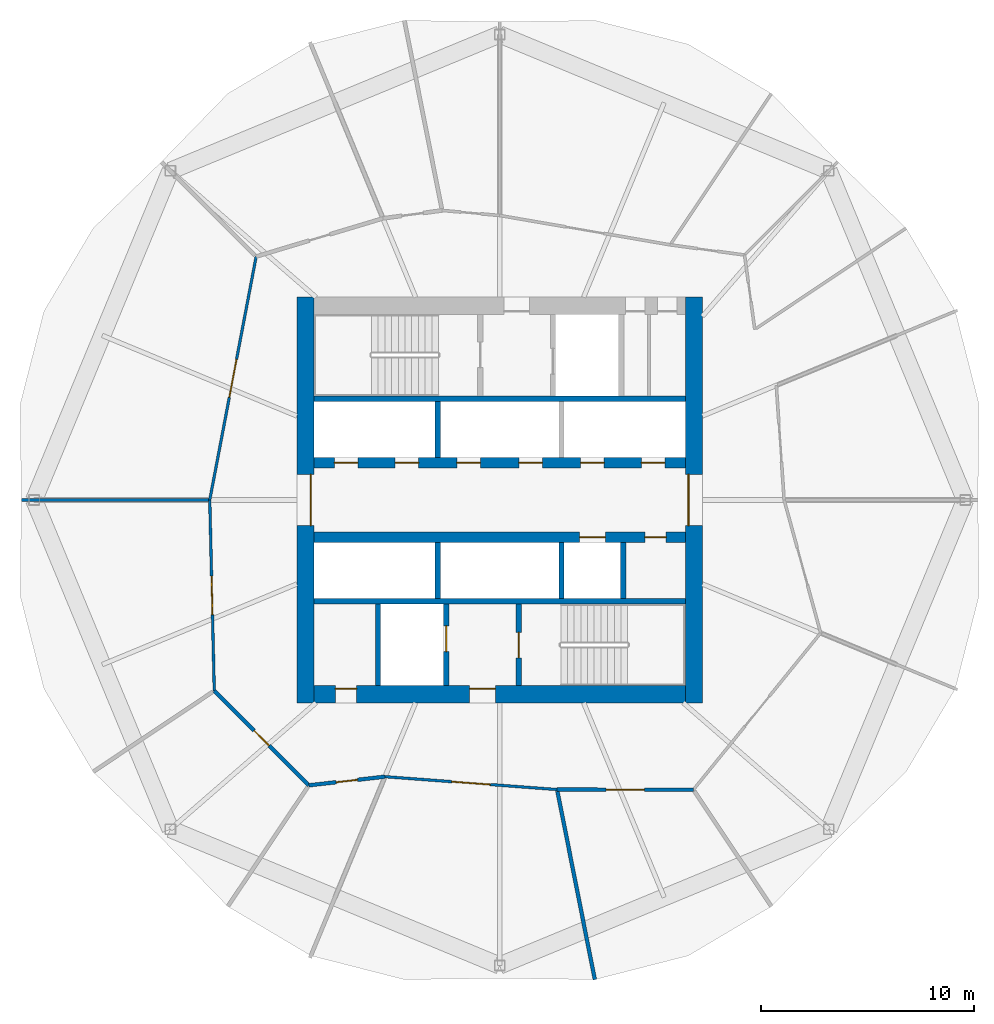
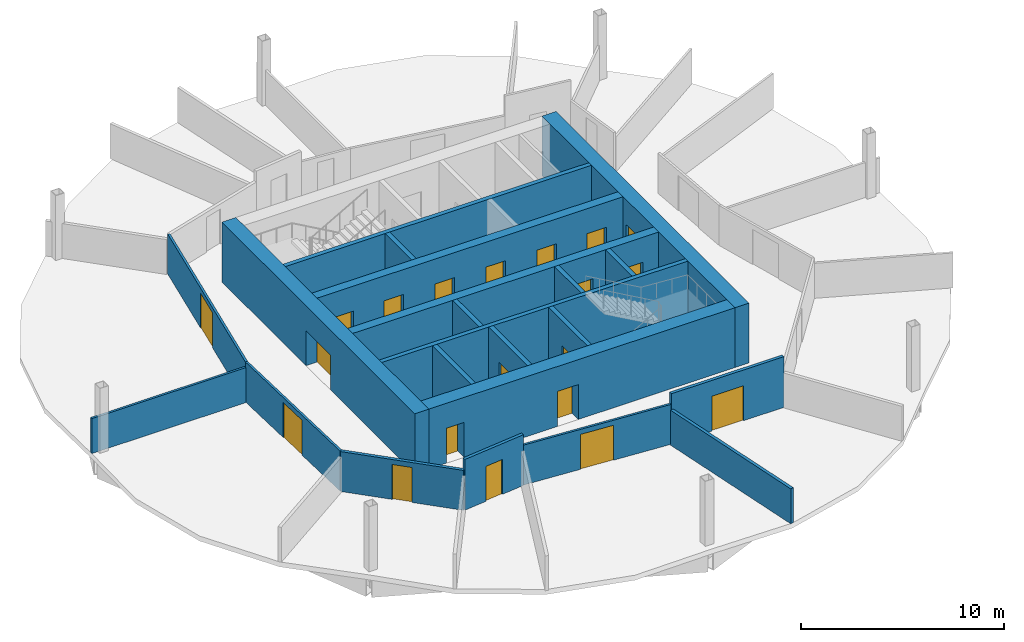
# One storey, part 4 of 9: 22 walls, 20 doors, 20 openings.
"""IFC4 building model written with IfcOpenShell, lengths in metres."""

from ifc_helpers import new_model, si_unit, direction, frame, frame_2d, origin, place, context, subcontext, project, spatial, rectangle, extrude, material, layer, layer_set, type_object, element, fill, save


model = new_model("IFC4")

# Units and contexts
model_context = context("Model", 3, precision=1e-05, world=origin(), true_north=direction((0.0, 1.0)))
body_context = subcontext(model_context, "Body", "Model", "MODEL_VIEW")
ifc_project = project(units=[si_unit("LENGTHUNIT", "METRE"), si_unit("AREAUNIT", "SQUARE_METRE"), si_unit("VOLUMEUNIT", "CUBIC_METRE"), si_unit("PLANEANGLEUNIT", "RADIAN"), si_unit("MASSUNIT", "GRAM", prefix="KILO")], contexts=[model_context])

# Site, building, storey
site_placement = place(None, origin())
site = spatial("IfcSite", under=ifc_project, at=site_placement, CompositionType="ELEMENT")
building_placement = place(site_placement, origin())
building = spatial("IfcBuilding", under=site, at=building_placement, Name="Ogive Gate Towers", CompositionType="ELEMENT")
storey_placement = place(building_placement, frame((0.0, 0.0, 40.199951171875)))
storey = spatial("IfcBuildingStorey", under=building, at=storey_placement, Name="L08", CompositionType="ELEMENT", Elevation=40.199951171875)

# Wall
ifc_material_1 = material(Name="Gypsum board acoustic partition")
ifc_layer_1 = layer(ifc_material_1, 0.175048828125)
ifc_layer_set_1 = layer_set([ifc_layer_1], Name="Acoustic partition 175")
wall_type_1 = type_object("IfcWallType", Name="Acoustic partition 175", PredefinedType="PARTITIONING", material=ifc_layer_set_1)
wall_1_placement = place(storey_placement, frame((-31.538330078125, -22.470947265625, 0.0), z_axis=(0.0, 0.0, 1.0), x_axis=(-0.194737431918, 0.980855408615, 0.0)))
element("IfcWall", 1, at=wall_1_placement, inside=storey, type_object=wall_type_1, Name="Partition T1-L08-014", PredefinedType="PARTITIONING", context=body_context, shape_type="SweptSolid", body=[
    extrude(rectangle(XDim=8.991455078125, YDim=0.175048828125, at=frame_2d((4.49560546875, 0.0))), origin(), (0.0, 0.0, 1.0), 2.10009765625),
])

# Wall, opening, door
wall_2_placement = place(storey_placement, frame((-49.367431640625, -8.9384765625, 0.0), z_axis=(0.0, 0.0, 1.0), x_axis=(0.707106781187, -0.707106781187, 0.0)))
wall_2 = element("IfcWall", 2, at=wall_2_placement, inside=storey, type_object=wall_type_1, Name="Partition T1-L08-025", PredefinedType="PARTITIONING", context=body_context, shape_type="SweptSolid", body=[
    extrude(rectangle(XDim=6.263427734375, YDim=0.175048828125, at=frame_2d((3.1318359375, 0.0))), origin(), (0.0, 0.0, 1.0), 2.400146484375),
])
opening_1_placement = place(wall_2_placement, frame((2.632080078125, 0.0, 0.0)))
opening_1 = element("IfcOpeningElement", 3, at=opening_1_placement, cuts=wall_2, Name="Opening T1-L08-D09", PredefinedType="OPENING", context=body_context, shape_type="SweptSolid", body=[
    extrude(rectangle(XDim=1.0, YDim=2.10009765625, at=frame_2d((0.5, 1.050048828125))), frame((0.0, 0.09765625, 0.0), z_axis=(0.0, -1.0, 0.0), x_axis=(1.0, 0.0, 0.0)), (0.0, 0.0, 1.0), 0.195068359375),
])
ifc_material_2 = material(Name="Timber door", Category="wood")
door_type_1 = type_object("IfcDoorType", Name="Door 1000", OperationType="NOTDEFINED", PredefinedType="DOOR", material=ifc_material_2)
door_1_placement = place(opening_1_placement, origin())
door_1 = element("IfcDoor", 4, at=door_1_placement, inside=storey, type_object=door_type_1, Name="Door T1-L08-D09", OperationType="SINGLE_SWING_RIGHT", OverallHeight=2.10009765625, OverallWidth=1.0, PredefinedType="DOOR", context=body_context, shape_type="SweptSolid", body=[
    extrude(rectangle(XDim=1.0, YDim=2.10009765625, at=frame_2d((0.5, 1.050048828125))), frame((0.0, 0.02490234375, 0.0), z_axis=(0.0, -1.0, 0.0), x_axis=(1.0, 0.0, 0.0)), (0.0, 0.0, 1.0), 0.050048828125),
])
fill(opening_1, door_1)

wall_3_placement = place(storey_placement, frame((-44.9384765625, -13.367431640625, 0.0), z_axis=(0.0, 0.0, 1.0), x_axis=(0.993637621277, 0.11262449815, 0.0)))
wall_3 = element("IfcWall", 5, at=wall_3_placement, inside=storey, type_object=wall_type_1, Name="Partition T1-L08-026", PredefinedType="PARTITIONING", context=body_context, shape_type="SweptSolid", body=[
    extrude(rectangle(XDim=3.592041015625, YDim=0.175048828125, at=frame_2d((1.7958984375, 0.0))), origin(), (0.0, 0.0, 1.0), 3.050048828125),
])
opening_2_placement = place(wall_3_placement, frame((1.2958984375, 0.0, 0.0)))
opening_2 = element("IfcOpeningElement", 6, at=opening_2_placement, cuts=wall_3, Name="Opening T1-L08-D10", PredefinedType="OPENING", context=body_context, shape_type="SweptSolid", body=[
    extrude(rectangle(XDim=1.0, YDim=2.10009765625, at=frame_2d((0.5, 1.050048828125))), frame((0.0, 0.09765625, 0.0), z_axis=(0.0, -1.0, 0.0), x_axis=(1.0, 0.0, 0.0)), (0.0, 0.0, 1.0), 0.195068359375),
])
door_2_placement = place(opening_2_placement, origin())
door_2 = element("IfcDoor", 7, at=door_2_placement, inside=storey, type_object=door_type_1, Name="Door T1-L08-D10", OperationType="SINGLE_SWING_LEFT", OverallHeight=2.10009765625, OverallWidth=1.0, PredefinedType="DOOR", context=body_context, shape_type="SweptSolid", body=[
    extrude(rectangle(XDim=1.0, YDim=2.10009765625, at=frame_2d((0.5, 1.050048828125))), frame((0.0, 0.02490234375, 0.0), z_axis=(0.0, -1.0, 0.0), x_axis=(1.0, 0.0, 0.0)), (0.0, 0.0, 1.0), 0.050048828125),
])
fill(opening_2, door_2)

wall_4_placement = place(storey_placement, frame((-33.306396484375, -13.56591796875, 0.0), z_axis=(0.0, 0.0, 1.0), x_axis=(0.999998944011, -0.00145326449, 0.0)))
wall_4 = element("IfcWall", 8, at=wall_4_placement, inside=storey, type_object=wall_type_1, Name="Partition T1-L08-028", PredefinedType="PARTITIONING", context=body_context, shape_type="SweptSolid", body=[
    extrude(rectangle(XDim=6.3837890625, YDim=0.175048828125, at=frame_2d((3.19189453125, 0.0))), origin(), (0.0, 0.0, 1.0), 3.050048828125),
])
opening_3_placement = place(wall_4_placement, frame((2.2919921875, 0.0, 0.0)))
opening_3 = element("IfcOpeningElement", 9, at=opening_3_placement, cuts=wall_4, Name="Opening T1-L08-D12", PredefinedType="OPENING", context=body_context, shape_type="SweptSolid", body=[
    extrude(rectangle(XDim=1.800048828125, YDim=2.10009765625, at=frame_2d((0.89990234375, 1.050048828125))), frame((0.0, 0.09765625, 0.0), z_axis=(0.0, -1.0, 0.0), x_axis=(1.0, 0.0, 0.0)), (0.0, 0.0, 1.0), 0.195068359375),
])
door_type_2 = type_object("IfcDoorType", Name="Door pair 1800", OperationType="NOTDEFINED", PredefinedType="DOOR", material=ifc_material_2)
door_3_placement = place(opening_3_placement, origin())
door_3 = element("IfcDoor", 10, at=door_3_placement, inside=storey, type_object=door_type_2, Name="Door T1-L08-D12", OperationType="DOUBLE_DOOR_DOUBLE_SWING", OverallHeight=2.10009765625, OverallWidth=1.800048828125, PredefinedType="DOOR", context=body_context, shape_type="SweptSolid", body=[
    extrude(rectangle(XDim=1.800048828125, YDim=2.10009765625, at=frame_2d((0.89990234375, 1.050048828125))), frame((0.0, 0.02490234375, 0.0), z_axis=(0.0, -1.0, 0.0), x_axis=(1.0, 0.0, 0.0)), (0.0, 0.0, 1.0), 0.050048828125),
])
fill(opening_3, door_3)

# Wall, openings, doors
ifc_material_3 = material(Name="Concrete C60/75", Category="concrete")
ifc_layer_2 = layer(ifc_material_3, 0.800048828125)
ifc_layer_set_2 = layer_set([ifc_layer_2], Name="Core wall 800 mm")
wall_type_2 = type_object("IfcWallType", Name="Core wall 800 mm", PredefinedType="SHEAR", material=ifc_layer_set_2)
wall_5_placement = place(storey_placement, frame((-44.699951171875, -9.10009765625, 0.0), z_axis=(0.0, 0.0, 1.0), x_axis=(1.0, 0.0, 0.0)))
wall_5 = element("IfcWall", 11, at=wall_5_placement, inside=storey, type_object=wall_type_2, Name="T1 L08 Core wall 800 mm", PredefinedType="SHEAR", context=body_context, shape_type="SweptSolid", body=[
    extrude(rectangle(XDim=17.39990234375, YDim=0.800048828125, at=frame_2d((8.699951171875, 0.0))), origin(), (0.0, 0.0, 1.0), 3.60009765625),
])
opening_4_placement = place(wall_5_placement, frame((7.300048828125, 0.0, 0.0)))
opening_4 = element("IfcOpeningElement", 12, at=opening_4_placement, cuts=wall_5, Name="Opening KD-T1-L08-16", PredefinedType="OPENING", context=body_context, shape_type="SweptSolid", body=[
    extrude(rectangle(XDim=1.199951171875, YDim=2.10009765625, at=frame_2d((0.60009765625, 1.050048828125))), frame((0.0, 0.41015625, 0.0), z_axis=(0.0, -1.0, 0.0), x_axis=(1.0, 0.0, 0.0)), (0.0, 0.0, 1.0), 0.820068359375),
])
opening_5_placement = place(wall_5_placement, frame((1.0, 0.0, 0.0)))
opening_5 = element("IfcOpeningElement", 13, at=opening_5_placement, cuts=wall_5, Name="Opening KD-T1-L08-19", PredefinedType="OPENING", context=body_context, shape_type="SweptSolid", body=[
    extrude(rectangle(XDim=1.0, YDim=2.10009765625, at=frame_2d((0.5, 1.050048828125))), frame((0.0, 0.41015625, 0.0), z_axis=(0.0, -1.0, 0.0), x_axis=(1.0, 0.0, 0.0)), (0.0, 0.0, 1.0), 0.820068359375),
])
door_type_3 = type_object("IfcDoorType", Name="Accessible WC door 1000 x 2100", OperationType="NOTDEFINED", PredefinedType="DOOR", material=ifc_material_2)
door_4_placement = place(opening_5_placement, origin())
door_4 = element("IfcDoor", 14, at=door_4_placement, inside=storey, type_object=door_type_3, Name="T1 L08 Core door", OperationType="SINGLE_SWING_RIGHT", OverallHeight=2.10009765625, OverallWidth=1.0, PredefinedType="DOOR", context=body_context, shape_type="SweptSolid", body=[
    extrude(rectangle(XDim=1.0, YDim=2.10009765625, at=frame_2d((0.5, 1.050048828125))), frame((0.0, 0.27490234375, 0.0), z_axis=(0.0, -1.0, 0.0), x_axis=(1.0, 0.0, 0.0)), (0.0, 0.0, 1.0), 0.050048828125),
])
fill(opening_5, door_4)
ifc_material_4 = material(Name="Steel fire door", Category="steel")
door_type_4 = type_object("IfcDoorType", Name="Core door FD60S 1200 x 2100", OperationType="NOTDEFINED", PredefinedType="DOOR", material=ifc_material_4)
door_5_placement = place(opening_4_placement, origin())
door_5 = element("IfcDoor", 15, at=door_5_placement, inside=storey, type_object=door_type_4, Name="T1 L08 Fire-fighting lobby door", OperationType="SINGLE_SWING_LEFT", OverallHeight=2.10009765625, OverallWidth=1.199951171875, PredefinedType="DOOR", context=body_context, shape_type="SweptSolid", body=[
    extrude(rectangle(XDim=1.199951171875, YDim=2.10009765625, at=frame_2d((0.60009765625, 1.050048828125))), frame((0.0, 0.27490234375, 0.0), z_axis=(0.0, -1.0, 0.0), x_axis=(1.0, 0.0, 0.0)), (0.0, 0.0, 1.0), 0.050048828125),
])
fill(opening_4, door_5)

# Wall, opening, door
wall_6_placement = place(storey_placement, frame((-45.10009765625, -9.5, 0.0), z_axis=(0.0, 0.0, 1.0), x_axis=(0.0, 1.0, 0.0)))
wall_6 = element("IfcWall", 16, at=wall_6_placement, inside=storey, type_object=wall_type_2, Name="T1 L08 Core wall 800 mm", PredefinedType="SHEAR", context=body_context, shape_type="SweptSolid", body=[
    extrude(rectangle(XDim=19.0, YDim=0.800048828125, at=frame_2d((9.5, 0.0))), origin(), (0.0, 0.0, 1.0), 3.60009765625),
])
opening_6_placement = place(wall_6_placement, frame((8.300048828125, 0.0, 0.0)))
opening_6 = element("IfcOpeningElement", 17, at=opening_6_placement, cuts=wall_6, Name="Opening KD-T1-L08-01", PredefinedType="OPENING", context=body_context, shape_type="SweptSolid", body=[
    extrude(rectangle(XDim=2.39990234375, YDim=2.10009765625, at=frame_2d((1.199951171875, 1.050048828125))), frame((0.0, 0.41015625, 0.0), z_axis=(0.0, -1.0, 0.0), x_axis=(1.0, 0.0, 0.0)), (0.0, 0.0, 1.0), 0.820068359375),
])
door_type_5 = type_object("IfcDoorType", Name="Core double door FD60S 2400 x 2100", OperationType="DOUBLE_DOOR_SINGLE_SWING", PredefinedType="DOOR", material=ifc_material_4)
door_6_placement = place(opening_6_placement, origin())
door_6 = element("IfcDoor", 18, at=door_6_placement, inside=storey, type_object=door_type_5, Name="T1 L08 Core door double", OperationType="DOUBLE_DOOR_SINGLE_SWING", OverallHeight=2.10009765625, OverallWidth=2.39990234375, PredefinedType="DOOR", context=body_context, shape_type="SweptSolid", body=[
    extrude(rectangle(XDim=2.39990234375, YDim=2.10009765625, at=frame_2d((1.199951171875, 1.050048828125))), frame((0.0, -0.22509765625, 0.0), z_axis=(0.0, -1.0, 0.0), x_axis=(1.0, 0.0, 0.0)), (0.0, 0.0, 1.0), 0.050048828125),
])
fill(opening_6, door_6)

wall_7_placement = place(storey_placement, frame((-26.89990234375, -9.5, 0.0), z_axis=(0.0, 0.0, 1.0), x_axis=(0.0, 1.0, 0.0)))
wall_7 = element("IfcWall", 19, at=wall_7_placement, inside=storey, type_object=wall_type_2, Name="T1 L08 Core wall 800 mm", PredefinedType="SHEAR", context=body_context, shape_type="SweptSolid", body=[
    extrude(rectangle(XDim=19.0, YDim=0.800048828125, at=frame_2d((9.5, 0.0))), origin(), (0.0, 0.0, 1.0), 3.60009765625),
])
opening_7_placement = place(wall_7_placement, frame((8.300048828125, 0.0, 0.0)))
opening_7 = element("IfcOpeningElement", 20, at=opening_7_placement, cuts=wall_7, Name="Opening KD-T1-L08-02", PredefinedType="OPENING", context=body_context, shape_type="SweptSolid", body=[
    extrude(rectangle(XDim=2.39990234375, YDim=2.10009765625, at=frame_2d((1.199951171875, 1.050048828125))), frame((0.0, 0.41015625, 0.0), z_axis=(0.0, -1.0, 0.0), x_axis=(1.0, 0.0, 0.0)), (0.0, 0.0, 1.0), 0.820068359375),
])
door_7_placement = place(opening_7_placement, origin())
door_7 = element("IfcDoor", 21, at=door_7_placement, inside=storey, type_object=door_type_5, Name="T1 L08 Core door double", OperationType="DOUBLE_DOOR_SINGLE_SWING", OverallHeight=2.10009765625, OverallWidth=2.39990234375, PredefinedType="DOOR", context=body_context, shape_type="SweptSolid", body=[
    extrude(rectangle(XDim=2.39990234375, YDim=2.10009765625, at=frame_2d((1.199951171875, 1.050048828125))), frame((0.0, 0.27490234375, 0.0), z_axis=(0.0, -1.0, 0.0), x_axis=(1.0, 0.0, 0.0)), (0.0, 0.0, 1.0), 0.050048828125),
])
fill(opening_7, door_7)

# Wall
ifc_material_5 = material(Name="Gypsum board partition")
ifc_layer_3 = layer(ifc_material_5, 0.125)
ifc_layer_set_3 = layer_set([ifc_layer_3], Name="Partition 125")
wall_type_3 = type_object("IfcWallType", Name="Partition 125", PredefinedType="PARTITIONING", material=ifc_layer_set_3)
wall_8_placement = place(storey_placement, frame((-58.408935546875, 0.0, 0.0), z_axis=(0.0, 0.0, 1.0), x_axis=(1.0, 0.0, 0.0)))
element("IfcWall", 22, at=wall_8_placement, inside=storey, type_object=wall_type_3, Name="Partition T1-L08-010", PredefinedType="PARTITIONING", context=body_context, shape_type="SweptSolid", body=[
    extrude(rectangle(XDim=8.766357421875, YDim=0.125, at=frame_2d((4.38330078125, 0.0))), origin(), (0.0, 0.0, 1.0), 2.10009765625),
])

# Wall, opening, door
wall_9_placement = place(storey_placement, frame((-47.40576171875, 11.40576171875, 0.0), z_axis=(0.0, 0.0, 1.0), x_axis=(-0.187260900708, -0.982310213256, 0.0)))
wall_9 = element("IfcWall", 23, at=wall_9_placement, inside=storey, type_object=wall_type_3, Name="Partition T1-L08-023", PredefinedType="PARTITIONING", context=body_context, shape_type="SweptSolid", body=[
    extrude(rectangle(XDim=11.611083984375, YDim=0.125, at=frame_2d((5.8056640625, 0.0))), origin(), (0.0, 0.0, 1.0), 2.400146484375),
])
opening_8_placement = place(wall_9_placement, frame((4.906005859375, 0.0, 0.0)))
opening_8 = element("IfcOpeningElement", 24, at=opening_8_placement, cuts=wall_9, Name="Opening T1-L08-D07", PredefinedType="OPENING", context=body_context, shape_type="SweptSolid", body=[
    extrude(rectangle(XDim=1.800048828125, YDim=2.10009765625, at=frame_2d((0.89990234375, 1.050048828125))), frame((0.0, 0.072509765625, 0.0), z_axis=(0.0, -1.0, 0.0), x_axis=(1.0, 0.0, 0.0)), (0.0, 0.0, 1.0), 0.14501953125),
])
door_8_placement = place(opening_8_placement, origin())
door_8 = element("IfcDoor", 25, at=door_8_placement, inside=storey, type_object=door_type_2, Name="Door T1-L08-D07", OperationType="DOUBLE_DOOR_DOUBLE_SWING", OverallHeight=2.10009765625, OverallWidth=1.800048828125, PredefinedType="DOOR", context=body_context, shape_type="SweptSolid", body=[
    extrude(rectangle(XDim=1.800048828125, YDim=2.10009765625, at=frame_2d((0.89990234375, 1.050048828125))), frame((0.0, 0.02490234375, 0.0), z_axis=(0.0, -1.0, 0.0), x_axis=(1.0, 0.0, 0.0)), (0.0, 0.0, 1.0), 0.050048828125),
])
fill(opening_8, door_8)

wall_10_placement = place(storey_placement, frame((-49.580078125, 0.0, 0.0), z_axis=(0.0, 0.0, 1.0), x_axis=(0.023783284904, -0.999717137674, 0.0)))
wall_10 = element("IfcWall", 26, at=wall_10_placement, inside=storey, type_object=wall_type_3, Name="Partition T1-L08-024", PredefinedType="PARTITIONING", context=body_context, shape_type="SweptSolid", body=[
    extrude(rectangle(XDim=8.94091796875, YDim=0.125, at=frame_2d((4.470458984375, 0.0))), origin(), (0.0, 0.0, 1.0), 2.400146484375),
])
opening_9_placement = place(wall_10_placement, frame((3.570068359375, 0.0, 0.0)))
opening_9 = element("IfcOpeningElement", 27, at=opening_9_placement, cuts=wall_10, Name="Opening T1-L08-D08", PredefinedType="OPENING", context=body_context, shape_type="SweptSolid", body=[
    extrude(rectangle(XDim=1.800048828125, YDim=2.10009765625, at=frame_2d((0.89990234375, 1.050048828125))), frame((0.0, 0.072509765625, 0.0), z_axis=(0.0, -1.0, 0.0), x_axis=(1.0, 0.0, 0.0)), (0.0, 0.0, 1.0), 0.14501953125),
])
door_9_placement = place(opening_9_placement, origin())
door_9 = element("IfcDoor", 28, at=door_9_placement, inside=storey, type_object=door_type_2, Name="Door T1-L08-D08", OperationType="DOUBLE_DOOR_DOUBLE_SWING", OverallHeight=2.10009765625, OverallWidth=1.800048828125, PredefinedType="DOOR", context=body_context, shape_type="SweptSolid", body=[
    extrude(rectangle(XDim=1.800048828125, YDim=2.10009765625, at=frame_2d((0.89990234375, 1.050048828125))), frame((0.0, 0.02490234375, 0.0), z_axis=(0.0, -1.0, 0.0), x_axis=(1.0, 0.0, 0.0)), (0.0, 0.0, 1.0), 0.050048828125),
])
fill(opening_9, door_9)

wall_11_placement = place(storey_placement, frame((-41.369384765625, -12.962890625, 0.0), z_axis=(0.0, 0.0, 1.0), x_axis=(0.997214939079, -0.074581266261, 0.0)))
wall_11 = element("IfcWall", 29, at=wall_11_placement, inside=storey, type_object=wall_type_3, Name="Partition T1-L08-027", PredefinedType="PARTITIONING", context=body_context, shape_type="SweptSolid", body=[
    extrude(rectangle(XDim=8.08544921875, YDim=0.125, at=frame_2d((4.042724609375, 0.0))), origin(), (0.0, 0.0, 1.0), 2.400146484375),
])
opening_10_placement = place(wall_11_placement, frame((3.14306640625, 0.0, 0.0)))
opening_10 = element("IfcOpeningElement", 30, at=opening_10_placement, cuts=wall_11, Name="Opening T1-L08-D11", PredefinedType="OPENING", context=body_context, shape_type="SweptSolid", body=[
    extrude(rectangle(XDim=1.800048828125, YDim=2.10009765625, at=frame_2d((0.89990234375, 1.050048828125))), frame((0.0, 0.072509765625, 0.0), z_axis=(0.0, -1.0, 0.0), x_axis=(1.0, 0.0, 0.0)), (0.0, 0.0, 1.0), 0.14501953125),
])
door_10_placement = place(opening_10_placement, origin())
door_10 = element("IfcDoor", 31, at=door_10_placement, inside=storey, type_object=door_type_2, Name="Door T1-L08-D11", OperationType="DOUBLE_DOOR_DOUBLE_SWING", OverallHeight=2.10009765625, OverallWidth=1.800048828125, PredefinedType="DOOR", context=body_context, shape_type="SweptSolid", body=[
    extrude(rectangle(XDim=1.800048828125, YDim=2.10009765625, at=frame_2d((0.89990234375, 1.050048828125))), frame((0.0, 0.02490234375, 0.0), z_axis=(0.0, -1.0, 0.0), x_axis=(1.0, 0.0, 0.0)), (0.0, 0.0, 1.0), 0.050048828125),
])
fill(opening_10, door_10)

# Walls
ifc_layer_4 = layer(ifc_material_3, 0.25)
ifc_layer_set_4 = layer_set([ifc_layer_4], Name="Shaft wall 250 mm")
wall_type_4 = type_object("IfcWallType", Name="Shaft wall 250 mm", PredefinedType="SHEAR", material=ifc_layer_set_4)
for number, where, z_axis, x_axis, name in (
    (32, (-44.699951171875, -4.75, 0.0), (0.0, 0.0, 1.0), (1.0, 0.0, 0.0), "T1 L08 Shaft wall 250 mm"),
    (33, (-44.699951171875, 4.75, 0.0), (0.0, 0.0, 1.0), (1.0, 0.0, 0.0), "T1 L08 Shaft wall 250 mm"),
):
    element("IfcWall", number, at=place(storey_placement, frame(where, z_axis=z_axis, x_axis=x_axis)), inside=storey, type_object=wall_type_4, Name=name, PredefinedType="SHEAR", context=body_context, shape_type="SweptSolid", body=[
        extrude(rectangle(XDim=17.39990234375, YDim=0.25, at=frame_2d((8.699951171875, 0.0))), origin(), (0.0, 0.0, 1.0), 3.60009765625),
    ])
wall_12_placement = place(storey_placement, frame((-41.699951171875, -8.699951171875, 0.0), z_axis=(0.0, 0.0, 1.0), x_axis=(0.0, 1.0, 0.0)))
element("IfcWall", 34, at=wall_12_placement, inside=storey, type_object=wall_type_4, Name="T1 L08 Shaft wall 250 mm", PredefinedType="SHEAR", context=body_context, shape_type="SweptSolid", body=[
    extrude(rectangle(XDim=3.824951171875, YDim=0.25, at=frame_2d((1.91259765625, 0.0))), origin(), (0.0, 0.0, 1.0), 3.60009765625),
])
for number, where, z_axis, x_axis, name in (
    (35, (-38.89990234375, -4.625, 0.0), (0.0, 0.0, 1.0), (0.0, 1.0, 0.0), "T1 L08 Shaft wall 250 mm"),
    (36, (-38.89990234375, 2.0, 0.0), (0.0, 0.0, 1.0), (0.0, 1.0, 0.0), "T1 L08 Shaft wall 250 mm"),
):
    element("IfcWall", number, at=place(storey_placement, frame(where, z_axis=z_axis, x_axis=x_axis)), inside=storey, type_object=wall_type_4, Name=name, PredefinedType="SHEAR", context=body_context, shape_type="SweptSolid", body=[
        extrude(rectangle(XDim=2.625, YDim=0.25, at=frame_2d((1.3125, 0.0))), origin(), (0.0, 0.0, 1.0), 3.60009765625),
    ])

# Wall, opening, door
wall_13_placement = place(storey_placement, frame((-38.5, -8.699951171875, 0.0), z_axis=(0.0, 0.0, 1.0), x_axis=(0.0, 1.0, 0.0)))
wall_13 = element("IfcWall", 37, at=wall_13_placement, inside=storey, type_object=wall_type_4, Name="T1 L08 Shaft wall 250 mm", PredefinedType="SHEAR", context=body_context, shape_type="SweptSolid", body=[
    extrude(rectangle(XDim=3.824951171875, YDim=0.25, at=frame_2d((1.91259765625, 0.0))), origin(), (0.0, 0.0, 1.0), 3.60009765625),
])
opening_11_placement = place(wall_13_placement, frame((1.60009765625, 0.0, 0.0)))
opening_11 = element("IfcOpeningElement", 38, at=opening_11_placement, cuts=wall_13, Name="Opening LD-T1-L08-11", PredefinedType="OPENING", context=body_context, shape_type="SweptSolid", body=[
    extrude(rectangle(XDim=1.199951171875, YDim=2.10009765625, at=frame_2d((0.60009765625, 1.050048828125))), frame((0.0, 0.135009765625, 0.0), z_axis=(0.0, -1.0, 0.0), x_axis=(1.0, 0.0, 0.0)), (0.0, 0.0, 1.0), 0.27001953125),
])
ifc_material_6 = material(Name="Stainless steel landing door", Category="steel")
door_type_6 = type_object("IfcDoorType", Name="Landing door 1200 x 2100", OperationType="SLIDING_TO_LEFT", PredefinedType="DOOR", material=ifc_material_6)
door_11_placement = place(opening_11_placement, origin())
door_11 = element("IfcDoor", 39, at=door_11_placement, inside=storey, type_object=door_type_6, Name="T1 L08 Lift landing door FF2", OperationType="SLIDING_TO_LEFT", OverallHeight=2.10009765625, OverallWidth=1.199951171875, PredefinedType="DOOR", context=body_context, shape_type="SweptSolid", body=[
    extrude(rectangle(XDim=1.199951171875, YDim=2.10009765625, at=frame_2d((0.60009765625, 1.050048828125))), frame((0.0, 0.02490234375, 0.0), z_axis=(0.0, -1.0, 0.0), x_axis=(1.0, 0.0, 0.0)), (0.0, 0.0, 1.0), 0.050048828125),
])
fill(opening_11, door_11)

wall_14_placement = place(storey_placement, frame((-35.10009765625, -8.699951171875, 0.0), z_axis=(0.0, 0.0, 1.0), x_axis=(0.0, 1.0, 0.0)))
wall_14 = element("IfcWall", 40, at=wall_14_placement, inside=storey, type_object=wall_type_4, Name="T1 L08 Shaft wall 250 mm", PredefinedType="SHEAR", context=body_context, shape_type="SweptSolid", body=[
    extrude(rectangle(XDim=3.824951171875, YDim=0.25, at=frame_2d((1.91259765625, 0.0))), origin(), (0.0, 0.0, 1.0), 3.60009765625),
])
opening_12_placement = place(wall_14_placement, frame((1.300048828125, 0.0, 0.0)))
opening_12 = element("IfcOpeningElement", 41, at=opening_12_placement, cuts=wall_14, Name="Opening KD-T1-L08-14", PredefinedType="OPENING", context=body_context, shape_type="SweptSolid", body=[
    extrude(rectangle(XDim=1.199951171875, YDim=2.10009765625, at=frame_2d((0.60009765625, 1.050048828125))), frame((0.0, 0.135009765625, 0.0), z_axis=(0.0, -1.0, 0.0), x_axis=(1.0, 0.0, 0.0)), (0.0, 0.0, 1.0), 0.27001953125),
])
door_12_placement = place(opening_12_placement, origin())
door_12 = element("IfcDoor", 42, at=door_12_placement, inside=storey, type_object=door_type_4, Name="T1 L08 Stair door", OperationType="SINGLE_SWING_LEFT", OverallHeight=2.10009765625, OverallWidth=1.199951171875, PredefinedType="DOOR", context=body_context, shape_type="SweptSolid", body=[
    extrude(rectangle(XDim=1.199951171875, YDim=2.10009765625, at=frame_2d((0.60009765625, 1.050048828125))), frame((0.0, 0.02490234375, 0.0), z_axis=(0.0, -1.0, 0.0), x_axis=(1.0, 0.0, 0.0)), (0.0, 0.0, 1.0), 0.050048828125),
])
fill(opening_12, door_12)

# Walls
for number, where, z_axis, x_axis, name in (
    (43, (-33.10009765625, -4.625, 0.0), (0.0, 0.0, 1.0), (0.0, 1.0, 0.0), "T1 L08 Shaft wall 250 mm"),
    (44, (-30.199951171875, -4.625, 0.0), (0.0, 0.0, 1.0), (0.0, 1.0, 0.0), "T1 L08 Shaft wall 250 mm"),
):
    element("IfcWall", number, at=place(storey_placement, frame(where, z_axis=z_axis, x_axis=x_axis)), inside=storey, type_object=wall_type_4, Name=name, PredefinedType="SHEAR", context=body_context, shape_type="SweptSolid", body=[
        extrude(rectangle(XDim=2.625, YDim=0.25, at=frame_2d((1.3125, 0.0))), origin(), (0.0, 0.0, 1.0), 3.60009765625),
    ])

# Wall, openings, doors
ifc_layer_5 = layer(ifc_material_3, 0.5)
ifc_layer_set_5 = layer_set([ifc_layer_5], Name="Spine wall 500 mm")
wall_type_5 = type_object("IfcWallType", Name="Spine wall 500 mm", PredefinedType="SHEAR", material=ifc_layer_set_5)
wall_15_placement = place(storey_placement, frame((-44.699951171875, -1.75, 0.0), z_axis=(0.0, 0.0, 1.0), x_axis=(1.0, 0.0, 0.0)))
wall_15 = element("IfcWall", 45, at=wall_15_placement, inside=storey, type_object=wall_type_5, Name="T1 L08 Spine wall 500 mm", PredefinedType="SHEAR", context=body_context, shape_type="SweptSolid", body=[
    extrude(rectangle(XDim=17.39990234375, YDim=0.5, at=frame_2d((8.699951171875, 0.0))), origin(), (0.0, 0.0, 1.0), 3.60009765625),
])
opening_13_placement = place(wall_15_placement, frame((12.449951171875, 0.0, 0.0)))
opening_13 = element("IfcOpeningElement", 46, at=opening_13_placement, cuts=wall_15, Name="Opening LD-T1-L08-09", PredefinedType="OPENING", context=body_context, shape_type="SweptSolid", body=[
    extrude(rectangle(XDim=1.199951171875, YDim=2.10009765625, at=frame_2d((0.60009765625, 1.050048828125))), frame((0.0, 0.260009765625, 0.0), z_axis=(0.0, -1.0, 0.0), x_axis=(1.0, 0.0, 0.0)), (0.0, 0.0, 1.0), 0.52001953125),
])
opening_14_placement = place(wall_15_placement, frame((15.5, 0.0, 0.0)))
opening_14 = element("IfcOpeningElement", 47, at=opening_14_placement, cuts=wall_15, Name="Opening KD-T1-L08-12", PredefinedType="OPENING", context=body_context, shape_type="SweptSolid", body=[
    extrude(rectangle(XDim=1.0, YDim=2.10009765625, at=frame_2d((0.5, 1.050048828125))), frame((0.0, 0.260009765625, 0.0), z_axis=(0.0, -1.0, 0.0), x_axis=(1.0, 0.0, 0.0)), (0.0, 0.0, 1.0), 0.52001953125),
])
door_type_7 = type_object("IfcDoorType", Name="Core door FD60S 1000 x 2100", OperationType="NOTDEFINED", PredefinedType="DOOR", material=ifc_material_4)
door_13_placement = place(opening_14_placement, origin())
door_13 = element("IfcDoor", 48, at=door_13_placement, inside=storey, type_object=door_type_7, Name="T1 L08 Core door", OperationType="SINGLE_SWING_LEFT", OverallHeight=2.10009765625, OverallWidth=1.0, PredefinedType="DOOR", context=body_context, shape_type="SweptSolid", body=[
    extrude(rectangle(XDim=1.0, YDim=2.10009765625, at=frame_2d((0.5, 1.050048828125))), frame((0.0, 0.02490234375, 0.0), z_axis=(0.0, -1.0, 0.0), x_axis=(1.0, 0.0, 0.0)), (0.0, 0.0, 1.0), 0.050048828125),
])
fill(opening_14, door_13)
door_14_placement = place(opening_13_placement, origin())
door_14 = element("IfcDoor", 49, at=door_14_placement, inside=storey, type_object=door_type_6, Name="T1 L08 Lift landing door SVC", OperationType="SLIDING_TO_LEFT", OverallHeight=2.10009765625, OverallWidth=1.199951171875, PredefinedType="DOOR", context=body_context, shape_type="SweptSolid", body=[
    extrude(rectangle(XDim=1.199951171875, YDim=2.10009765625, at=frame_2d((0.60009765625, 1.050048828125))), frame((0.0, 0.02490234375, 0.0), z_axis=(0.0, -1.0, 0.0), x_axis=(1.0, 0.0, 0.0)), (0.0, 0.0, 1.0), 0.050048828125),
])
fill(opening_13, door_14)

wall_16_placement = place(storey_placement, frame((-44.699951171875, 1.75, 0.0), z_axis=(0.0, 0.0, 1.0), x_axis=(1.0, 0.0, 0.0)))
wall_16 = element("IfcWall", 50, at=wall_16_placement, inside=storey, type_object=wall_type_5, Name="T1 L08 Spine wall 500 mm", PredefinedType="SHEAR", context=body_context, shape_type="SweptSolid", body=[
    extrude(rectangle(XDim=17.39990234375, YDim=0.5, at=frame_2d((8.699951171875, 0.0))), origin(), (0.0, 0.0, 1.0), 3.60009765625),
])
opening_15_placement = place(wall_16_placement, frame((0.96240234375, 0.0, 0.0)))
opening_15 = element("IfcOpeningElement", 51, at=opening_15_placement, cuts=wall_16, Name="Opening LD-T1-L08-03", PredefinedType="OPENING", context=body_context, shape_type="SweptSolid", body=[
    extrude(rectangle(XDim=1.10009765625, YDim=2.10009765625, at=frame_2d((0.550048828125, 1.050048828125))), frame((0.0, 0.260009765625, 0.0), z_axis=(0.0, -1.0, 0.0), x_axis=(1.0, 0.0, 0.0)), (0.0, 0.0, 1.0), 0.52001953125),
])
opening_16_placement = place(wall_16_placement, frame((3.800048828125, 0.0, 0.0)))
opening_16 = element("IfcOpeningElement", 52, at=opening_16_placement, cuts=wall_16, Name="Opening LD-T1-L08-04", PredefinedType="OPENING", context=body_context, shape_type="SweptSolid", body=[
    extrude(rectangle(XDim=1.10009765625, YDim=2.10009765625, at=frame_2d((0.550048828125, 1.050048828125))), frame((0.0, 0.260009765625, 0.0), z_axis=(0.0, -1.0, 0.0), x_axis=(1.0, 0.0, 0.0)), (0.0, 0.0, 1.0), 0.52001953125),
])
opening_17_placement = place(wall_16_placement, frame((6.699951171875, 0.0, 0.0)))
opening_17 = element("IfcOpeningElement", 53, at=opening_17_placement, cuts=wall_16, Name="Opening LD-T1-L08-05", PredefinedType="OPENING", context=body_context, shape_type="SweptSolid", body=[
    extrude(rectangle(XDim=1.10009765625, YDim=2.10009765625, at=frame_2d((0.550048828125, 1.050048828125))), frame((0.0, 0.260009765625, 0.0), z_axis=(0.0, -1.0, 0.0), x_axis=(1.0, 0.0, 0.0)), (0.0, 0.0, 1.0), 0.52001953125),
])
opening_18_placement = place(wall_16_placement, frame((9.60009765625, 0.0, 0.0)))
opening_18 = element("IfcOpeningElement", 54, at=opening_18_placement, cuts=wall_16, Name="Opening LD-T1-L08-06", PredefinedType="OPENING", context=body_context, shape_type="SweptSolid", body=[
    extrude(rectangle(XDim=1.10009765625, YDim=2.10009765625, at=frame_2d((0.550048828125, 1.050048828125))), frame((0.0, 0.260009765625, 0.0), z_axis=(0.0, -1.0, 0.0), x_axis=(1.0, 0.0, 0.0)), (0.0, 0.0, 1.0), 0.52001953125),
])
opening_19_placement = place(wall_16_placement, frame((12.5, 0.0, 0.0)))
opening_19 = element("IfcOpeningElement", 55, at=opening_19_placement, cuts=wall_16, Name="Opening LD-T1-L08-07", PredefinedType="OPENING", context=body_context, shape_type="SweptSolid", body=[
    extrude(rectangle(XDim=1.10009765625, YDim=2.10009765625, at=frame_2d((0.550048828125, 1.050048828125))), frame((0.0, 0.260009765625, 0.0), z_axis=(0.0, -1.0, 0.0), x_axis=(1.0, 0.0, 0.0)), (0.0, 0.0, 1.0), 0.52001953125),
])
opening_20_placement = place(wall_16_placement, frame((15.33740234375, 0.0, 0.0)))
opening_20 = element("IfcOpeningElement", 56, at=opening_20_placement, cuts=wall_16, Name="Opening LD-T1-L08-08", PredefinedType="OPENING", context=body_context, shape_type="SweptSolid", body=[
    extrude(rectangle(XDim=1.10009765625, YDim=2.10009765625, at=frame_2d((0.550048828125, 1.050048828125))), frame((0.0, 0.260009765625, 0.0), z_axis=(0.0, -1.0, 0.0), x_axis=(1.0, 0.0, 0.0)), (0.0, 0.0, 1.0), 0.52001953125),
])
door_type_8 = type_object("IfcDoorType", Name="Landing door 1100 x 2100", OperationType="SLIDING_TO_LEFT", PredefinedType="DOOR", material=ifc_material_6)
door_15_placement = place(opening_15_placement, origin())
door_15 = element("IfcDoor", 57, at=door_15_placement, inside=storey, type_object=door_type_8, Name="T1 L08 Lift landing door A1", OperationType="SLIDING_TO_LEFT", OverallHeight=2.10009765625, OverallWidth=1.10009765625, PredefinedType="DOOR", context=body_context, shape_type="SweptSolid", body=[
    extrude(rectangle(XDim=1.10009765625, YDim=2.10009765625, at=frame_2d((0.550048828125, 1.050048828125))), frame((0.0, 0.02490234375, 0.0), z_axis=(0.0, -1.0, 0.0), x_axis=(1.0, 0.0, 0.0)), (0.0, 0.0, 1.0), 0.050048828125),
])
fill(opening_15, door_15)
door_16_placement = place(opening_16_placement, origin())
door_16 = element("IfcDoor", 58, at=door_16_placement, inside=storey, type_object=door_type_8, Name="T1 L08 Lift landing door A2", OperationType="SLIDING_TO_LEFT", OverallHeight=2.10009765625, OverallWidth=1.10009765625, PredefinedType="DOOR", context=body_context, shape_type="SweptSolid", body=[
    extrude(rectangle(XDim=1.10009765625, YDim=2.10009765625, at=frame_2d((0.550048828125, 1.050048828125))), frame((0.0, 0.02490234375, 0.0), z_axis=(0.0, -1.0, 0.0), x_axis=(1.0, 0.0, 0.0)), (0.0, 0.0, 1.0), 0.050048828125),
])
fill(opening_16, door_16)
door_17_placement = place(opening_17_placement, origin())
door_17 = element("IfcDoor", 59, at=door_17_placement, inside=storey, type_object=door_type_8, Name="T1 L08 Lift landing door A3", OperationType="SLIDING_TO_LEFT", OverallHeight=2.10009765625, OverallWidth=1.10009765625, PredefinedType="DOOR", context=body_context, shape_type="SweptSolid", body=[
    extrude(rectangle(XDim=1.10009765625, YDim=2.10009765625, at=frame_2d((0.550048828125, 1.050048828125))), frame((0.0, 0.02490234375, 0.0), z_axis=(0.0, -1.0, 0.0), x_axis=(1.0, 0.0, 0.0)), (0.0, 0.0, 1.0), 0.050048828125),
])
fill(opening_17, door_17)
door_18_placement = place(opening_18_placement, origin())
door_18 = element("IfcDoor", 60, at=door_18_placement, inside=storey, type_object=door_type_8, Name="T1 L08 Lift landing door A4", OperationType="SLIDING_TO_LEFT", OverallHeight=2.10009765625, OverallWidth=1.10009765625, PredefinedType="DOOR", context=body_context, shape_type="SweptSolid", body=[
    extrude(rectangle(XDim=1.10009765625, YDim=2.10009765625, at=frame_2d((0.550048828125, 1.050048828125))), frame((0.0, 0.02490234375, 0.0), z_axis=(0.0, -1.0, 0.0), x_axis=(1.0, 0.0, 0.0)), (0.0, 0.0, 1.0), 0.050048828125),
])
fill(opening_18, door_18)
door_19_placement = place(opening_19_placement, origin())
door_19 = element("IfcDoor", 61, at=door_19_placement, inside=storey, type_object=door_type_8, Name="T1 L08 Lift landing door A5", OperationType="SLIDING_TO_LEFT", OverallHeight=2.10009765625, OverallWidth=1.10009765625, PredefinedType="DOOR", context=body_context, shape_type="SweptSolid", body=[
    extrude(rectangle(XDim=1.10009765625, YDim=2.10009765625, at=frame_2d((0.550048828125, 1.050048828125))), frame((0.0, 0.02490234375, 0.0), z_axis=(0.0, -1.0, 0.0), x_axis=(1.0, 0.0, 0.0)), (0.0, 0.0, 1.0), 0.050048828125),
])
fill(opening_19, door_19)
door_20_placement = place(opening_20_placement, origin())
door_20 = element("IfcDoor", 62, at=door_20_placement, inside=storey, type_object=door_type_8, Name="T1 L08 Lift landing door A6", OperationType="SLIDING_TO_LEFT", OverallHeight=2.10009765625, OverallWidth=1.10009765625, PredefinedType="DOOR", context=body_context, shape_type="SweptSolid", body=[
    extrude(rectangle(XDim=1.10009765625, YDim=2.10009765625, at=frame_2d((0.550048828125, 1.050048828125))), frame((0.0, 0.02490234375, 0.0), z_axis=(0.0, -1.0, 0.0), x_axis=(1.0, 0.0, 0.0)), (0.0, 0.0, 1.0), 0.050048828125),
])
fill(opening_20, door_20)

save(model, "model.ifc")
